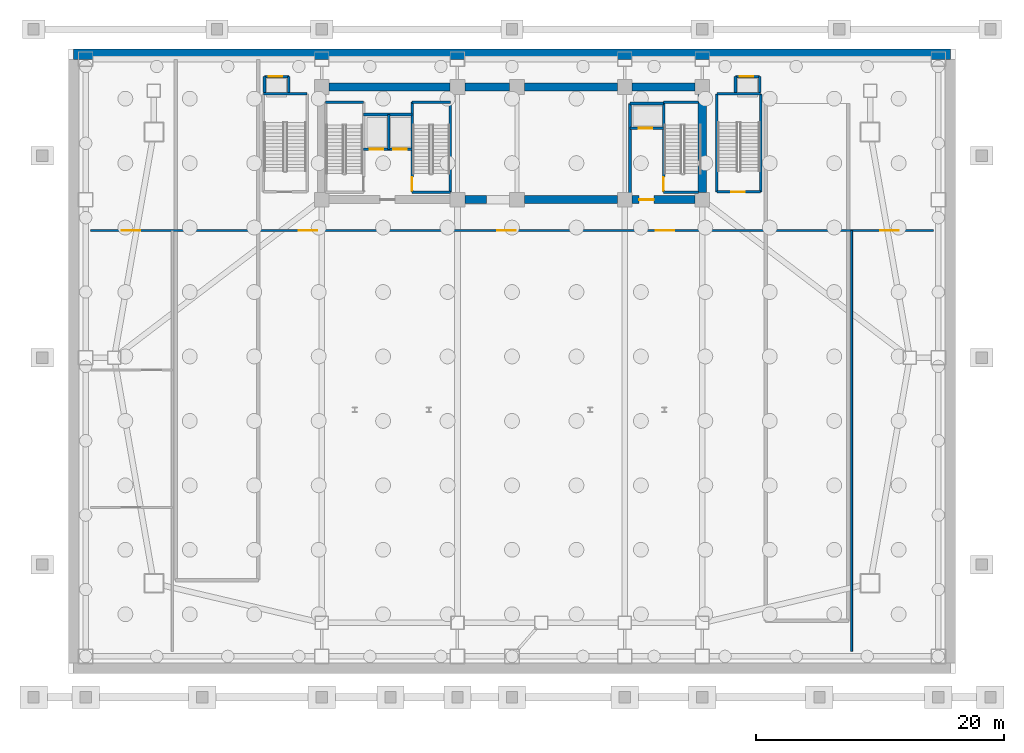
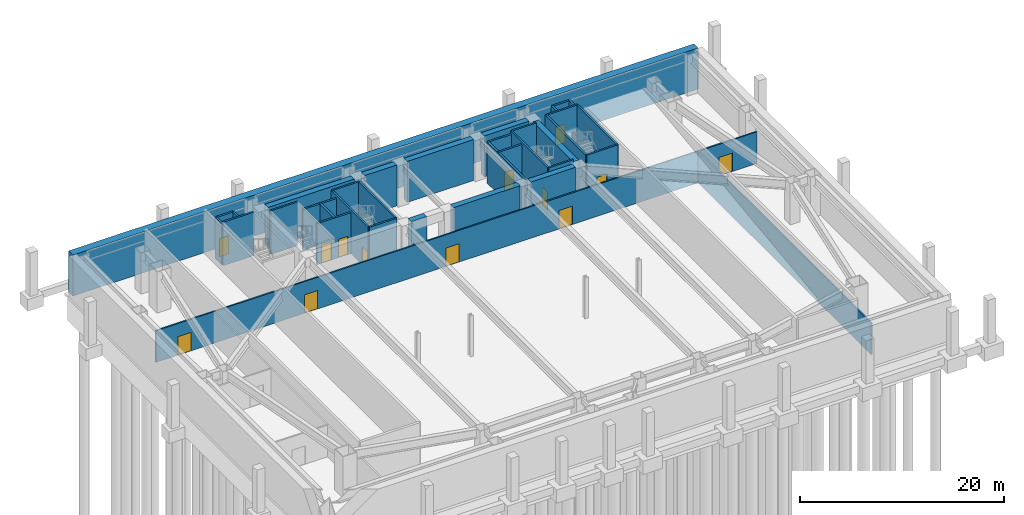
# One storey, part 6 of 10: 36 walls, 14 doors, 14 openings.
"""IFC4 building model written with IfcOpenShell, lengths in metres."""

from ifc_helpers import new_model, si_unit, direction, frame, frame_2d, origin, place, context, subcontext, project, spatial, rectangle, extrude, source, transform, mapped, material, layer, layer_set, type_object, element, fill, save


model = new_model("IFC4")

# Units and contexts
model_context = context("Model", 3, precision=1e-05, world=origin(), true_north=direction((0.0, 1.0)))
body_context = subcontext(model_context, "Body", "Model", "MODEL_VIEW")
ifc_project = project(units=[si_unit("LENGTHUNIT", "METRE"), si_unit("AREAUNIT", "SQUARE_METRE"), si_unit("VOLUMEUNIT", "CUBIC_METRE"), si_unit("PLANEANGLEUNIT", "RADIAN"), si_unit("MASSUNIT", "GRAM", prefix="KILO")], contexts=[model_context])

# Site, building, storey
site_placement = place(None, origin())
site = spatial("IfcSite", under=ifc_project, at=site_placement, CompositionType="ELEMENT")
building_placement = place(site_placement, origin())
building = spatial("IfcBuilding", under=site, at=building_placement, Name="Giltprow Tower", CompositionType="ELEMENT")
storey_placement = place(building_placement, frame((0.0, 0.0, -10.39990234375)))
storey = spatial("IfcBuildingStorey", under=building, at=storey_placement, Name="B02", CompositionType="ELEMENT", Elevation=-10.39990234375)

# Wall, openings, doors
ifc_material_1 = material(Name="Gypsum stud partition", Category="gypsum")
ifc_layer_1 = layer(ifc_material_1, 0.159912109375, Name="Gypsum stud partition")
ifc_layer_set_1 = layer_set([ifc_layer_1], Name="Gypsum stud partition")
wall_type_1 = type_object("IfcWallType", Name="IW-DEMISE-160", PredefinedType="PARTITIONING", material=ifc_layer_set_1)
wall_1_placement = place(storey_placement, frame((1.199951171875, 34.949951171875, 0.0), z_axis=(0.0, 0.0, 1.0), x_axis=(1.0, 0.0, 0.0)))
wall_1 = element("IfcWall", 1, at=wall_1_placement, inside=storey, type_object=wall_type_1, Name="B02 Car Park and Plant North Fire Wall", PredefinedType="PARTITIONING", context=body_context, shape_type="SweptSolid", body=[
    extrude(rectangle(XDim=68.0, YDim=0.159912109375, at=frame_2d((34.0, 0.0))), origin(), (0.0, 0.0, 1.0), 3.784912109375),
])
opening_1_placement = place(wall_1_placement, frame((16.800048828125, 0.0, 0.0)))
opening_1 = element("IfcOpeningElement", 2, at=opening_1_placement, cuts=wall_1, Name="Opening ID25", PredefinedType="OPENING", context=body_context, shape_type="SweptSolid", body=[
    extrude(rectangle(XDim=1.5, YDim=2.199951171875, at=frame_2d((0.75, 1.10009765625))), frame((0.0, 0.08984375, 0.0), z_axis=(0.0, -1.0, 0.0), x_axis=(1.0, 0.0, 0.0)), (0.0, 0.0, 1.0), 0.179931640625),
])
opening_2_placement = place(wall_1_placement, frame((32.800048828125, 0.0, 0.0)))
opening_2 = element("IfcOpeningElement", 3, at=opening_2_placement, cuts=wall_1, Name="Opening ID25", PredefinedType="OPENING", context=body_context, shape_type="SweptSolid", body=[
    extrude(rectangle(XDim=1.5, YDim=2.199951171875, at=frame_2d((0.75, 1.10009765625))), frame((0.0, 0.08984375, 0.0), z_axis=(0.0, -1.0, 0.0), x_axis=(1.0, 0.0, 0.0)), (0.0, 0.0, 1.0), 0.179931640625),
])
opening_3_placement = place(wall_1_placement, frame((45.60009765625, 0.0, 0.0)))
opening_3 = element("IfcOpeningElement", 4, at=opening_3_placement, cuts=wall_1, Name="Opening ID25", PredefinedType="OPENING", context=body_context, shape_type="SweptSolid", body=[
    extrude(rectangle(XDim=1.5, YDim=2.199951171875, at=frame_2d((0.75, 1.10009765625))), frame((0.0, 0.08984375, 0.0), z_axis=(0.0, -1.0, 0.0), x_axis=(1.0, 0.0, 0.0)), (0.0, 0.0, 1.0), 0.179931640625),
])
opening_4_placement = place(wall_1_placement, frame((2.5, 0.0, 0.0)))
opening_4 = element("IfcOpeningElement", 5, at=opening_4_placement, cuts=wall_1, Name="Opening ID25", PredefinedType="OPENING", context=body_context, shape_type="SweptSolid", body=[
    extrude(rectangle(XDim=1.5, YDim=2.199951171875, at=frame_2d((0.75, 1.10009765625))), frame((0.0, 0.08984375, 0.0), z_axis=(0.0, -1.0, 0.0), x_axis=(1.0, 0.0, 0.0)), (0.0, 0.0, 1.0), 0.179931640625),
])
opening_5_placement = place(wall_1_placement, frame((63.699951171875, 0.0, 0.0)))
opening_5 = element("IfcOpeningElement", 6, at=opening_5_placement, cuts=wall_1, Name="Opening ID25", PredefinedType="OPENING", context=body_context, shape_type="SweptSolid", body=[
    extrude(rectangle(XDim=1.5, YDim=2.199951171875, at=frame_2d((0.75, 1.10009765625))), frame((0.0, 0.08984375, 0.0), z_axis=(0.0, -1.0, 0.0), x_axis=(1.0, 0.0, 0.0)), (0.0, 0.0, 1.0), 0.179931640625),
])
ifc_material_2 = material(Name="Steel fire leaf", Category="steel")
door_type_1 = type_object("IfcDoorType", Name="DR-PLANT-1500", OperationType="DOUBLE_SWING_LEFT", PredefinedType="DOOR", material=ifc_material_2)
shared_shape_1 = source(origin(), body_context, "Body", "SweptSolid", [
    extrude(rectangle(XDim=1.5, YDim=2.199951171875, at=frame_2d((0.75, 1.10009765625))), frame((0.0, 0.02490234375, 0.0), z_axis=(0.0, -1.0, 0.0), x_axis=(1.0, 0.0, 0.0)), (0.0, 0.0, 1.0), 0.050048828125),
])
door_1_placement = place(opening_1_placement, origin())
door_1 = element("IfcDoor", 7, at=door_1_placement, inside=storey, type_object=door_type_1, Name="B02 Car Park West Lobby Door", OperationType="DOUBLE_SWING_LEFT", OverallHeight=2.199951171875, OverallWidth=1.5, PredefinedType="DOOR", context=body_context, shape_type="MappedRepresentation", body=[
    mapped(shared_shape_1, transform((0.0, 0.0, 0.0), x_axis=(1.0, 0.0, 0.0), y_axis=(0.0, 1.0, 0.0), z_axis=(0.0, 0.0, 1.0), scale=1.0)),
])
fill(opening_1, door_1)
door_2_placement = place(opening_2_placement, origin())
door_2 = element("IfcDoor", 8, at=door_2_placement, inside=storey, type_object=door_type_1, Name="B02 Car Park Central Lobby Door", OperationType="DOUBLE_SWING_LEFT", OverallHeight=2.199951171875, OverallWidth=1.5, PredefinedType="DOOR", context=body_context, shape_type="MappedRepresentation", body=[
    mapped(shared_shape_1, transform((0.0, 0.0, 0.0), x_axis=(1.0, 0.0, 0.0), y_axis=(0.0, 1.0, 0.0), z_axis=(0.0, 0.0, 1.0), scale=1.0)),
])
fill(opening_2, door_2)
door_3_placement = place(opening_3_placement, origin())
door_3 = element("IfcDoor", 9, at=door_3_placement, inside=storey, type_object=door_type_1, Name="B02 Car Park East Lobby Door", OperationType="DOUBLE_SWING_LEFT", OverallHeight=2.199951171875, OverallWidth=1.5, PredefinedType="DOOR", context=body_context, shape_type="MappedRepresentation", body=[
    mapped(shared_shape_1, transform((0.0, 0.0, 0.0), x_axis=(1.0, 0.0, 0.0), y_axis=(0.0, 1.0, 0.0), z_axis=(0.0, 0.0, 1.0), scale=1.0)),
])
fill(opening_3, door_3)
door_4_placement = place(opening_4_placement, origin())
door_4 = element("IfcDoor", 10, at=door_4_placement, inside=storey, type_object=door_type_1, Name="B02 Domestic and Fire Water Pump Room Corridor Door", OperationType="DOUBLE_SWING_LEFT", OverallHeight=2.199951171875, OverallWidth=1.5, PredefinedType="DOOR", context=body_context, shape_type="MappedRepresentation", body=[
    mapped(shared_shape_1, transform((0.0, 0.0, 0.0), x_axis=(1.0, 0.0, 0.0), y_axis=(0.0, 1.0, 0.0), z_axis=(0.0, 0.0, 1.0), scale=1.0)),
])
fill(opening_4, door_4)
door_5_placement = place(opening_5_placement, origin())
door_5 = element("IfcDoor", 11, at=door_5_placement, inside=storey, type_object=door_type_1, Name="B02 Fan and Smoke Extract Plant Door", OperationType="DOUBLE_SWING_LEFT", OverallHeight=2.199951171875, OverallWidth=1.5, PredefinedType="DOOR", context=body_context, shape_type="MappedRepresentation", body=[
    mapped(shared_shape_1, transform((0.0, 0.0, 0.0), x_axis=(1.0, 0.0, 0.0), y_axis=(0.0, 1.0, 0.0), z_axis=(0.0, 0.0, 1.0), scale=1.0)),
])
fill(opening_5, door_5)

# Wall
wall_2_placement = place(storey_placement, frame((62.60009765625, 1.0, 0.0), z_axis=(0.0, 0.0, 1.0), x_axis=(0.0, 1.0, 0.0)))
element("IfcWall", 12, at=wall_2_placement, inside=storey, type_object=wall_type_1, Name="B02 East Service Plant Wall", PredefinedType="PARTITIONING", context=body_context, shape_type="SweptSolid", body=[
    extrude(rectangle(XDim=33.949951171875, YDim=0.159912109375, at=frame_2d((16.97509765625, 0.0))), origin(), (0.0, 0.0, 1.0), 3.784912109375),
])

# Wall, openings, doors
ifc_material_3 = material(Name="Concrete C40", Category="concrete")
ifc_layer_2 = layer(ifc_material_3, 0.219970703125, Name="Concrete C40")
ifc_layer_set_2 = layer_set([ifc_layer_2], Name="Concrete C40")
wall_type_2 = type_object("IfcWallType", Name="IW-SHAFT-220", PredefinedType="SOLIDWALL", material=ifc_layer_set_2)
wall_3_placement = place(storey_placement, frame((23.219970703125, 41.52001953125, 0.0), z_axis=(0.0, 0.0, 1.0), x_axis=(1.0, 0.0, 0.0)))
wall_3 = element("IfcWall", 13, at=wall_3_placement, inside=storey, type_object=wall_type_2, Name="B02 FFL1 and Service Lift Front Wall", PredefinedType="SOLIDWALL", context=body_context, shape_type="SweptSolid", body=[
    extrude(rectangle(XDim=3.919921875, YDim=0.219970703125, at=frame_2d((1.9599609375, 0.0))), origin(), (0.0, 0.0, 1.0), 4.89990234375),
])
opening_6_placement = place(wall_3_placement, frame((0.5, 0.0, 0.0)))
opening_6 = element("IfcOpeningElement", 14, at=opening_6_placement, cuts=wall_3, Name="Opening LD-11", PredefinedType="OPENING", context=body_context, shape_type="SweptSolid", body=[
    extrude(rectangle(XDim=1.10009765625, YDim=2.199951171875, at=frame_2d((0.550048828125, 1.10009765625))), frame((0.0, 0.119873046875, 0.0), z_axis=(0.0, -1.0, 0.0), x_axis=(1.0, 0.0, 0.0)), (0.0, 0.0, 1.0), 0.239990234375),
])
opening_7_placement = place(wall_3_placement, frame((2.39990234375, 0.0, 0.0)))
opening_7 = element("IfcOpeningElement", 15, at=opening_7_placement, cuts=wall_3, Name="Opening LD-11", PredefinedType="OPENING", context=body_context, shape_type="SweptSolid", body=[
    extrude(rectangle(XDim=1.10009765625, YDim=2.199951171875, at=frame_2d((0.550048828125, 1.10009765625))), frame((0.0, 0.119873046875, 0.0), z_axis=(0.0, -1.0, 0.0), x_axis=(1.0, 0.0, 0.0)), (0.0, 0.0, 1.0), 0.239990234375),
])
ifc_material_4 = material(Name="Stainless steel", Category="steel")
door_type_2 = type_object("IfcDoorType", Name="DR-LIFT-LD1100", OperationType="SLIDING_TO_LEFT", PredefinedType="DOOR", material=ifc_material_4)
shared_shape_2 = source(origin(), body_context, "Body", "SweptSolid", [
    extrude(rectangle(XDim=1.10009765625, YDim=2.199951171875, at=frame_2d((0.550048828125, 1.10009765625))), frame((0.0, 0.02490234375, 0.0), z_axis=(0.0, -1.0, 0.0), x_axis=(1.0, 0.0, 0.0)), (0.0, 0.0, 1.0), 0.050048828125),
])
door_6_placement = place(opening_6_placement, origin())
door_6 = element("IfcDoor", 16, at=door_6_placement, inside=storey, type_object=door_type_2, Name="B02 FFL1 Landing Door", OperationType="SLIDING_TO_LEFT", OverallHeight=2.199951171875, OverallWidth=1.10009765625, PredefinedType="DOOR", context=body_context, shape_type="MappedRepresentation", body=[
    mapped(shared_shape_2, transform((0.0, 0.0, 0.0), x_axis=(1.0, 0.0, 0.0), y_axis=(0.0, 1.0, 0.0), z_axis=(0.0, 0.0, 1.0), scale=1.0)),
])
fill(opening_6, door_6)
door_7_placement = place(opening_7_placement, origin())
door_7 = element("IfcDoor", 17, at=door_7_placement, inside=storey, type_object=door_type_2, Name="B02 SVL1 Landing Door", OperationType="SLIDING_TO_LEFT", OverallHeight=2.199951171875, OverallWidth=1.10009765625, PredefinedType="DOOR", context=body_context, shape_type="MappedRepresentation", body=[
    mapped(shared_shape_2, transform((0.0, 0.0, 0.0), x_axis=(1.0, 0.0, 0.0), y_axis=(0.0, 1.0, 0.0), z_axis=(0.0, 0.0, 1.0), scale=1.0)),
])
fill(opening_7, door_7)

# Walls
wall_4_placement = place(storey_placement, frame((25.260009765625, 41.52001953125, 0.0), z_axis=(0.0, 0.0, 1.0), x_axis=(0.0, 1.0, 0.0)))
element("IfcWall", 18, at=wall_4_placement, inside=storey, type_object=wall_type_2, Name="B02 FFL1-SVL1 Shaft Divider", PredefinedType="SOLIDWALL", context=body_context, shape_type="SweptSolid", body=[
    extrude(rectangle(XDim=2.800048828125, YDim=0.219970703125, at=frame_2d((1.39990234375, 0.0))), origin(), (0.0, 0.0, 1.0), 4.89990234375),
])
wall_5_placement = place(storey_placement, frame((23.219970703125, 44.320068359375, 0.0), z_axis=(0.0, 0.0, 1.0), x_axis=(1.0, 0.0, 0.0)))
element("IfcWall", 19, at=wall_5_placement, inside=storey, type_object=wall_type_2, Name="B02 FFL1-SVL1 Back Shaft Wall", PredefinedType="SOLIDWALL", context=body_context, shape_type="SweptSolid", body=[
    extrude(rectangle(XDim=3.919921875, YDim=0.219970703125, at=frame_2d((1.9599609375, 0.0))), origin(), (0.0, 0.0, 1.0), 4.89990234375),
])

# Wall, opening, door
wall_6_placement = place(storey_placement, frame((44.719970703125, 43.219970703125, 0.0), z_axis=(0.0, 0.0, 1.0), x_axis=(1.0, 0.0, 0.0)))
wall_6 = element("IfcWall", 20, at=wall_6_placement, inside=storey, type_object=wall_type_2, Name="B02 FFL2 Front Shaft Wall", PredefinedType="SOLIDWALL", context=body_context, shape_type="SweptSolid", body=[
    extrude(rectangle(XDim=2.719970703125, YDim=0.219970703125, at=frame_2d((1.35986328125, 0.0))), origin(), (0.0, 0.0, 1.0), 4.89990234375),
])
opening_8_placement = place(wall_6_placement, frame((0.699951171875, 0.0, 0.0)))
opening_8 = element("IfcOpeningElement", 21, at=opening_8_placement, cuts=wall_6, Name="Opening LD-11", PredefinedType="OPENING", context=body_context, shape_type="SweptSolid", body=[
    extrude(rectangle(XDim=1.10009765625, YDim=2.199951171875, at=frame_2d((0.550048828125, 1.10009765625))), frame((0.0, 0.119873046875, 0.0), z_axis=(0.0, -1.0, 0.0), x_axis=(1.0, 0.0, 0.0)), (0.0, 0.0, 1.0), 0.239990234375),
])
door_8_placement = place(opening_8_placement, origin())
door_8 = element("IfcDoor", 22, at=door_8_placement, inside=storey, type_object=door_type_2, Name="B02 FFL2 Landing Door", OperationType="SLIDING_TO_LEFT", OverallHeight=2.199951171875, OverallWidth=1.10009765625, PredefinedType="DOOR", context=body_context, shape_type="MappedRepresentation", body=[
    mapped(shared_shape_2, transform((0.0, 0.0, 0.0), x_axis=(1.0, 0.0, 0.0), y_axis=(0.0, 1.0, 0.0), z_axis=(0.0, 0.0, 1.0), scale=1.0)),
])
fill(opening_8, door_8)

# Walls
wall_7_placement = place(storey_placement, frame((44.719970703125, 45.219970703125, 0.0), z_axis=(0.0, 0.0, 1.0), x_axis=(1.0, 0.0, 0.0)))
element("IfcWall", 23, at=wall_7_placement, inside=storey, type_object=wall_type_2, Name="B02 FFL2 Back Shaft Wall", PredefinedType="SOLIDWALL", context=body_context, shape_type="SweptSolid", body=[
    extrude(rectangle(XDim=2.719970703125, YDim=0.219970703125, at=frame_2d((1.35986328125, 0.0))), origin(), (0.0, 0.0, 1.0), 4.89990234375),
])
wall_8_placement = place(storey_placement, frame((44.719970703125, 37.7548828125, 0.0), z_axis=(0.0, 0.0, 1.0), x_axis=(0.0, 1.0, 0.0)))
element("IfcWall", 24, at=wall_8_placement, inside=storey, type_object=wall_type_2, Name="B02 East Firefighting Lobby West Wall", PredefinedType="SOLIDWALL", context=body_context, shape_type="SweptSolid", body=[
    extrude(rectangle(XDim=7.465087890625, YDim=0.219970703125, at=frame_2d((3.732421875, 0.0))), origin(), (0.0, 0.0, 1.0), 4.89990234375),
])

# Wall, opening, door
wall_9_placement = place(storey_placement, frame((15.22998046875, 47.3798828125, 0.0), z_axis=(0.0, 0.0, 1.0), x_axis=(1.0, 0.0, 0.0)))
wall_9 = element("IfcWall", 25, at=wall_9_placement, inside=storey, type_object=wall_type_2, Name="B02 PL-P1 Front Wall", PredefinedType="SOLIDWALL", context=body_context, shape_type="SweptSolid", body=[
    extrude(rectangle(XDim=1.9599609375, YDim=0.219970703125, at=frame_2d((0.97998046875, 0.0))), origin(), (0.0, 0.0, 1.0), 4.89990234375),
])
opening_9_placement = place(wall_9_placement, frame((0.35009765625, 0.0, 0.0)))
opening_9 = element("IfcOpeningElement", 26, at=opening_9_placement, cuts=wall_9, Name="Opening LD-11", PredefinedType="OPENING", context=body_context, shape_type="SweptSolid", body=[
    extrude(rectangle(XDim=1.10009765625, YDim=2.199951171875, at=frame_2d((0.550048828125, 1.10009765625))), frame((0.0, 0.119873046875, 0.0), z_axis=(0.0, -1.0, 0.0), x_axis=(1.0, 0.0, 0.0)), (0.0, 0.0, 1.0), 0.239990234375),
])
door_9_placement = place(opening_9_placement, origin())
door_9 = element("IfcDoor", 27, at=door_9_placement, inside=storey, type_object=door_type_2, Name="B02 PL-P1 Landing Door", OperationType="SLIDING_TO_LEFT", OverallHeight=2.199951171875, OverallWidth=1.10009765625, PredefinedType="DOOR", context=body_context, shape_type="MappedRepresentation", body=[
    mapped(shared_shape_2, transform((0.0, 0.0, 0.0), x_axis=(1.0, 0.0, 0.0), y_axis=(0.0, 1.0, 0.0), z_axis=(0.0, 0.0, 1.0), scale=1.0)),
])
fill(opening_9, door_9)

# Walls
for number, where, z_axis, x_axis, name in (
    (28, (15.22998046875, 46.090087890625, 0.0), (0.0, 0.0, 1.0), (0.0, 1.0, 0.0), "B02 PL-P1 West Shaft Wall"),
    (29, (17.18994140625, 46.090087890625, 0.0), (0.0, 0.0, 1.0), (0.0, 1.0, 0.0), "B02 PL-P1 East Shaft Wall"),
):
    element("IfcWall", number, at=place(storey_placement, frame(where, z_axis=z_axis, x_axis=x_axis)), inside=storey, type_object=wall_type_2, Name=name, PredefinedType="SOLIDWALL", context=body_context, shape_type="SweptSolid", body=[
        extrude(rectangle(XDim=1.289794921875, YDim=0.219970703125, at=frame_2d((0.64501953125, 0.0))), origin(), (0.0, 0.0, 1.0), 4.89990234375),
    ])

# Wall, opening, door
wall_10_placement = place(storey_placement, frame((53.22998046875, 47.3798828125, 0.0), z_axis=(0.0, 0.0, 1.0), x_axis=(1.0, 0.0, 0.0)))
wall_10 = element("IfcWall", 30, at=wall_10_placement, inside=storey, type_object=wall_type_2, Name="B02 PL-P2 Front Wall", PredefinedType="SOLIDWALL", context=body_context, shape_type="SweptSolid", body=[
    extrude(rectangle(XDim=1.9599609375, YDim=0.219970703125, at=frame_2d((0.97998046875, 0.0))), origin(), (0.0, 0.0, 1.0), 4.89990234375),
])
opening_10_placement = place(wall_10_placement, frame((0.35009765625, 0.0, 0.0)))
opening_10 = element("IfcOpeningElement", 31, at=opening_10_placement, cuts=wall_10, Name="Opening LD-11", PredefinedType="OPENING", context=body_context, shape_type="SweptSolid", body=[
    extrude(rectangle(XDim=1.10009765625, YDim=2.199951171875, at=frame_2d((0.550048828125, 1.10009765625))), frame((0.0, 0.119873046875, 0.0), z_axis=(0.0, -1.0, 0.0), x_axis=(1.0, 0.0, 0.0)), (0.0, 0.0, 1.0), 0.239990234375),
])
door_10_placement = place(opening_10_placement, origin())
door_10 = element("IfcDoor", 32, at=door_10_placement, inside=storey, type_object=door_type_2, Name="B02 PL-P2 Landing Door", OperationType="SLIDING_TO_LEFT", OverallHeight=2.199951171875, OverallWidth=1.10009765625, PredefinedType="DOOR", context=body_context, shape_type="MappedRepresentation", body=[
    mapped(shared_shape_2, transform((0.0, 0.0, 0.0), x_axis=(1.0, 0.0, 0.0), y_axis=(0.0, 1.0, 0.0), z_axis=(0.0, 0.0, 1.0), scale=1.0)),
])
fill(opening_10, door_10)

# Walls
for number, where, z_axis, x_axis, name in (
    (33, (53.22998046875, 46.090087890625, 0.0), (0.0, 0.0, 1.0), (0.0, 1.0, 0.0), "B02 PL-P2 West Shaft Wall"),
    (34, (55.18994140625, 46.090087890625, 0.0), (0.0, 0.0, 1.0), (0.0, 1.0, 0.0), "B02 PL-P2 East Shaft Wall"),
):
    element("IfcWall", number, at=place(storey_placement, frame(where, z_axis=z_axis, x_axis=x_axis)), inside=storey, type_object=wall_type_2, Name=name, PredefinedType="SOLIDWALL", context=body_context, shape_type="SweptSolid", body=[
        extrude(rectangle(XDim=1.289794921875, YDim=0.219970703125, at=frame_2d((0.64501953125, 0.0))), origin(), (0.0, 0.0, 1.0), 4.89990234375),
    ])
ifc_layer_3 = layer(ifc_material_3, 0.199951171875, Name="Concrete C40")
ifc_layer_set_3 = layer_set([ifc_layer_3], Name="Concrete C40")
wall_type_3 = type_object("IfcWallType", Name="IW-STAIR-200", PredefinedType="SOLIDWALL", material=ifc_layer_set_3)
wall_11_placement = place(storey_placement, frame((20.169921875, 45.320068359375, 0.0), z_axis=(0.0, 0.0, 1.0), x_axis=(1.0, 0.0, 0.0)))
element("IfcWall", 35, at=wall_11_placement, inside=storey, type_object=wall_type_3, Name="B02 Stair ST-1 North Bearing Wall", PredefinedType="SOLIDWALL", context=body_context, shape_type="SweptSolid", body=[
    extrude(rectangle(XDim=3.050048828125, YDim=0.199951171875, at=frame_2d((1.52490234375, 0.0))), origin(), (0.0, 0.0, 1.0), 5.199951171875),
])

# Wall, opening, door
wall_12_placement = place(storey_placement, frame((27.139892578125, 38.070068359375, 0.0), z_axis=(0.0, 0.0, 1.0), x_axis=(0.0, 1.0, 0.0)))
wall_12 = element("IfcWall", 36, at=wall_12_placement, inside=storey, type_object=wall_type_3, Name="B02 Stair ST-2 West Bearing Wall", PredefinedType="SOLIDWALL", context=body_context, shape_type="SweptSolid", body=[
    extrude(rectangle(XDim=7.25, YDim=0.199951171875, at=frame_2d((3.625, 0.0))), origin(), (0.0, 0.0, 1.0), 5.199951171875),
])
opening_11_placement = place(wall_12_placement, frame((0.110107421875, 0.0, 0.0)))
opening_11 = element("IfcOpeningElement", 37, at=opening_11_placement, cuts=wall_12, Name="Opening ID33", PredefinedType="OPENING", context=body_context, shape_type="SweptSolid", body=[
    extrude(rectangle(XDim=1.10009765625, YDim=2.14990234375, at=frame_2d((0.550048828125, 1.074951171875))), frame((0.0, 0.10986328125, 0.0), z_axis=(0.0, -1.0, 0.0), x_axis=(1.0, 0.0, 0.0)), (0.0, 0.0, 1.0), 0.219970703125),
])
door_type_3 = type_object("IfcDoorType", Name="DR-STAIR-1100", OperationType="SINGLE_SWING_LEFT", PredefinedType="DOOR", material=ifc_material_2)
shared_shape_3 = source(origin(), body_context, "Body", "SweptSolid", [
    extrude(rectangle(XDim=1.10009765625, YDim=2.14990234375, at=frame_2d((0.550048828125, 1.074951171875))), frame((0.0, 0.02490234375, 0.0), z_axis=(0.0, -1.0, 0.0), x_axis=(1.0, 0.0, 0.0)), (0.0, 0.0, 1.0), 0.050048828125),
])
door_11_placement = place(opening_11_placement, origin())
door_11 = element("IfcDoor", 38, at=door_11_placement, inside=storey, type_object=door_type_3, Name="B02 Stair ST-2 Fire Door", OperationType="SINGLE_SWING_RIGHT", OverallHeight=2.14990234375, OverallWidth=1.10009765625, PredefinedType="DOOR", context=body_context, shape_type="MappedRepresentation", body=[
    mapped(shared_shape_3, transform((0.0, 0.0, 0.0), x_axis=(1.0, 0.0, 0.0), y_axis=(0.0, 1.0, 0.0), z_axis=(0.0, 0.0, 1.0), scale=1.0)),
])
fill(opening_11, door_11)

# Walls
wall_13_placement = place(storey_placement, frame((30.219970703125, 38.070068359375, 0.0), z_axis=(0.0, 0.0, 1.0), x_axis=(0.0, 1.0, 0.0)))
element("IfcWall", 39, at=wall_13_placement, inside=storey, type_object=wall_type_3, Name="B02 Stair ST-2 East Bearing Wall", PredefinedType="SOLIDWALL", context=body_context, shape_type="SweptSolid", body=[
    extrude(rectangle(XDim=7.25, YDim=0.199951171875, at=frame_2d((3.625, 0.0))), origin(), (0.0, 0.0, 1.0), 5.199951171875),
])
for number, where, z_axis, x_axis, name in (
    (40, (27.139892578125, 45.320068359375, 0.0), (0.0, 0.0, 1.0), (1.0, 0.0, 0.0), "B02 Stair ST-2 North Bearing Wall"),
    (41, (27.139892578125, 38.070068359375, 0.0), (0.0, 0.0, 1.0), (1.0, 0.0, 0.0), "B02 Stair ST-2 South Bearing Wall"),
):
    element("IfcWall", number, at=place(storey_placement, frame(where, z_axis=z_axis, x_axis=x_axis)), inside=storey, type_object=wall_type_3, Name=name, PredefinedType="SOLIDWALL", context=body_context, shape_type="SweptSolid", body=[
        extrude(rectangle(XDim=3.080078125, YDim=0.199951171875, at=frame_2d((1.5400390625, 0.0))), origin(), (0.0, 0.0, 1.0), 5.199951171875),
    ])

# Wall, opening, door
wall_14_placement = place(storey_placement, frame((47.43994140625, 38.070068359375, 0.0), z_axis=(0.0, 0.0, 1.0), x_axis=(0.0, 1.0, 0.0)))
wall_14 = element("IfcWall", 42, at=wall_14_placement, inside=storey, type_object=wall_type_3, Name="B02 Stair ST-3 West Bearing Wall", PredefinedType="SOLIDWALL", context=body_context, shape_type="SweptSolid", body=[
    extrude(rectangle(XDim=7.25, YDim=0.199951171875, at=frame_2d((3.625, 0.0))), origin(), (0.0, 0.0, 1.0), 5.199951171875),
])
opening_12_placement = place(wall_14_placement, frame((0.110107421875, 0.0, 0.0)))
opening_12 = element("IfcOpeningElement", 43, at=opening_12_placement, cuts=wall_14, Name="Opening ID33", PredefinedType="OPENING", context=body_context, shape_type="SweptSolid", body=[
    extrude(rectangle(XDim=1.10009765625, YDim=2.14990234375, at=frame_2d((0.550048828125, 1.074951171875))), frame((0.0, 0.10986328125, 0.0), z_axis=(0.0, -1.0, 0.0), x_axis=(1.0, 0.0, 0.0)), (0.0, 0.0, 1.0), 0.219970703125),
])
door_12_placement = place(opening_12_placement, origin())
door_12 = element("IfcDoor", 44, at=door_12_placement, inside=storey, type_object=door_type_3, Name="B02 Stair ST-3 Fire Door", OperationType="SINGLE_SWING_LEFT", OverallHeight=2.14990234375, OverallWidth=1.10009765625, PredefinedType="DOOR", context=body_context, shape_type="MappedRepresentation", body=[
    mapped(shared_shape_3, transform((0.0, 0.0, 0.0), x_axis=(1.0, 0.0, 0.0), y_axis=(0.0, 1.0, 0.0), z_axis=(0.0, 0.0, 1.0), scale=1.0)),
])
fill(opening_12, door_12)

# Walls
for number, where, z_axis, x_axis, name in (
    (45, (47.43994140625, 45.320068359375, 0.0), (0.0, 0.0, 1.0), (1.0, 0.0, 0.0), "B02 Stair ST-3 North Bearing Wall"),
    (46, (47.43994140625, 38.070068359375, 0.0), (0.0, 0.0, 1.0), (1.0, 0.0, 0.0), "B02 Stair ST-3 South Bearing Wall"),
):
    element("IfcWall", number, at=place(storey_placement, frame(where, z_axis=z_axis, x_axis=x_axis)), inside=storey, type_object=wall_type_3, Name=name, PredefinedType="SOLIDWALL", context=body_context, shape_type="SweptSolid", body=[
        extrude(rectangle(XDim=2.80517578125, YDim=0.199951171875, at=frame_2d((1.402587890625, 0.0))), origin(), (0.0, 0.0, 1.0), 5.199951171875),
    ])
wall_15_placement = place(storey_placement, frame((15.139892578125, 45.97998046875, 0.0), z_axis=(0.0, 0.0, 1.0), x_axis=(1.0, 0.0, 0.0)))
element("IfcWall", 47, at=wall_15_placement, inside=storey, type_object=wall_type_3, Name="B02 Podium Stair ST-P1 North Bearing Wall", PredefinedType="SOLIDWALL", context=body_context, shape_type="SweptSolid", body=[
    extrude(rectangle(XDim=3.52001953125, YDim=0.199951171875, at=frame_2d((1.760009765625, 0.0))), origin(), (0.0, 0.0, 1.0), 5.199951171875),
])
for number, where, z_axis, x_axis, name in (
    (48, (51.739990234375, 38.080078125, 0.0), (0.0, 0.0, 1.0), (0.0, 1.0, 0.0), "B02 Podium Stair ST-P2 West Bearing Wall"),
    (49, (55.260009765625, 38.080078125, 0.0), (0.0, 0.0, 1.0), (0.0, 1.0, 0.0), "B02 Podium Stair ST-P2 East Bearing Wall"),
):
    element("IfcWall", number, at=place(storey_placement, frame(where, z_axis=z_axis, x_axis=x_axis)), inside=storey, type_object=wall_type_3, Name=name, PredefinedType="SOLIDWALL", context=body_context, shape_type="SweptSolid", body=[
        extrude(rectangle(XDim=7.89990234375, YDim=0.199951171875, at=frame_2d((3.949951171875, 0.0))), origin(), (0.0, 0.0, 1.0), 5.199951171875),
    ])
wall_16_placement = place(storey_placement, frame((51.739990234375, 45.97998046875, 0.0), z_axis=(0.0, 0.0, 1.0), x_axis=(1.0, 0.0, 0.0)))
element("IfcWall", 50, at=wall_16_placement, inside=storey, type_object=wall_type_3, Name="B02 Podium Stair ST-P2 North Bearing Wall", PredefinedType="SOLIDWALL", context=body_context, shape_type="SweptSolid", body=[
    extrude(rectangle(XDim=3.52001953125, YDim=0.199951171875, at=frame_2d((1.760009765625, 0.0))), origin(), (0.0, 0.0, 1.0), 5.199951171875),
])

# Wall, opening, door
wall_17_placement = place(storey_placement, frame((51.739990234375, 38.080078125, 0.0), z_axis=(0.0, 0.0, 1.0), x_axis=(1.0, 0.0, 0.0)))
wall_17 = element("IfcWall", 51, at=wall_17_placement, inside=storey, type_object=wall_type_3, Name="B02 Podium Stair ST-P2 South Bearing Wall", PredefinedType="SOLIDWALL", context=body_context, shape_type="SweptSolid", body=[
    extrude(rectangle(XDim=3.52001953125, YDim=0.199951171875, at=frame_2d((1.760009765625, 0.0))), origin(), (0.0, 0.0, 1.0), 5.199951171875),
])
opening_13_placement = place(wall_17_placement, frame((1.14990234375, 0.0, 0.0)))
opening_13 = element("IfcOpeningElement", 52, at=opening_13_placement, cuts=wall_17, Name="Opening ID33", PredefinedType="OPENING", context=body_context, shape_type="SweptSolid", body=[
    extrude(rectangle(XDim=1.10009765625, YDim=2.14990234375, at=frame_2d((0.550048828125, 1.074951171875))), frame((0.0, 0.10986328125, 0.0), z_axis=(0.0, -1.0, 0.0), x_axis=(1.0, 0.0, 0.0)), (0.0, 0.0, 1.0), 0.219970703125),
])
door_13_placement = place(opening_13_placement, origin())
door_13 = element("IfcDoor", 53, at=door_13_placement, inside=storey, type_object=door_type_3, Name="B02 Podium Stair ST-P2 Door", OperationType="SINGLE_SWING_LEFT", OverallHeight=2.14990234375, OverallWidth=1.10009765625, PredefinedType="DOOR", context=body_context, shape_type="MappedRepresentation", body=[
    mapped(shared_shape_3, transform((0.0, 0.0, 0.0), x_axis=(1.0, 0.0, 0.0), y_axis=(0.0, 1.0, 0.0), z_axis=(0.0, 0.0, 1.0), scale=1.0)),
])
fill(opening_13, door_13)

# Walls
ifc_material_5 = material(Name="Concrete C45", Category="concrete")
ifc_layer_4 = layer(ifc_material_5, 0.85009765625, Name="Concrete C45")
ifc_layer_set_4 = layer_set([ifc_layer_4], Name="Concrete C45")
wall_type_4 = type_object("IfcWallType", Name="RW-DIAPHRAGM-850", PredefinedType="USERDEFINED", material=ifc_layer_set_4)
wall_18_placement = place(storey_placement, frame((-0.175048828125, 49.175048828125, 0.0), z_axis=(0.0, 0.0, 1.0), x_axis=(1.0, 0.0, 0.0)))
element("IfcWall", 54, at=wall_18_placement, inside=storey, type_object=wall_type_4, Name="B02 Diaphragm Retaining Wall N", ObjectType="RETAININGWALL", PredefinedType="USERDEFINED", context=body_context, shape_type="SweptSolid", body=[
    extrude(rectangle(XDim=70.75, YDim=0.85009765625, at=frame_2d((35.375, 0.0))), origin(), (0.0, 0.0, 1.0), 4.89990234375),
])
ifc_material_6 = material(Name="Concrete C60", Category="concrete")
ifc_layer_5 = layer(ifc_material_6, 0.64990234375, Name="Concrete C60")
ifc_layer_set_5 = layer_set([ifc_layer_5], Name="Concrete C60")
wall_type_5 = type_object("IfcWallType", Name="SW-INT-650-C60", PredefinedType="SHEAR", material=ifc_layer_set_5)
wall_19_placement = place(storey_placement, frame((20.449951171875, 46.550048828125, 0.0), z_axis=(0.0, 0.0, 1.0), x_axis=(1.0, 0.0, 0.0)))
element("IfcWall", 55, at=wall_19_placement, inside=storey, type_object=wall_type_5, Name="B02 North Rear Core Shear Wall 1", PredefinedType="SHEAR", context=body_context, shape_type="SweptSolid", body=[
    extrude(rectangle(XDim=9.75, YDim=0.64990234375, at=frame_2d((4.875, 0.0))), origin(), (0.0, 0.0, 1.0), 4.89990234375),
])
wall_20_placement = place(storey_placement, frame((31.39990234375, 46.550048828125, 0.0), z_axis=(0.0, 0.0, 1.0), x_axis=(1.0, 0.0, 0.0)))
element("IfcWall", 56, at=wall_20_placement, inside=storey, type_object=wall_type_5, Name="B02 North Rear Core Shear Wall 2", PredefinedType="SHEAR", context=body_context, shape_type="SweptSolid", body=[
    extrude(rectangle(XDim=3.60009765625, YDim=0.64990234375, at=frame_2d((1.800048828125, 0.0))), origin(), (0.0, 0.0, 1.0), 4.89990234375),
])
wall_21_placement = place(storey_placement, frame((36.199951171875, 46.550048828125, 0.0), z_axis=(0.0, 0.0, 1.0), x_axis=(1.0, 0.0, 0.0)))
element("IfcWall", 57, at=wall_21_placement, inside=storey, type_object=wall_type_5, Name="B02 North Rear Core Shear Wall 3", PredefinedType="SHEAR", context=body_context, shape_type="SweptSolid", body=[
    extrude(rectangle(XDim=7.5, YDim=0.64990234375, at=frame_2d((3.75, 0.0))), origin(), (0.0, 0.0, 1.0), 4.89990234375),
])
wall_22_placement = place(storey_placement, frame((44.89990234375, 46.550048828125, 0.0), z_axis=(0.0, 0.0, 1.0), x_axis=(1.0, 0.0, 0.0)))
element("IfcWall", 58, at=wall_22_placement, inside=storey, type_object=wall_type_5, Name="B02 North Rear Core Shear Wall 4", PredefinedType="SHEAR", context=body_context, shape_type="SweptSolid", body=[
    extrude(rectangle(XDim=5.050048828125, YDim=0.64990234375, at=frame_2d((2.52490234375, 0.0))), origin(), (0.0, 0.0, 1.0), 4.89990234375),
])
wall_23_placement = place(storey_placement, frame((31.39990234375, 37.449951171875, 0.0), z_axis=(0.0, 0.0, 1.0), x_axis=(1.0, 0.0, 0.0)))
element("IfcWall", 59, at=wall_23_placement, inside=storey, type_object=wall_type_5, Name="B02 South Rear Core Shear Wall Mid-West", PredefinedType="SHEAR", context=body_context, shape_type="SweptSolid", body=[
    extrude(rectangle(XDim=1.75, YDim=0.64990234375, at=frame_2d((0.875, 0.0))), origin(), (0.0, 0.0, 1.0), 4.89990234375),
])
wall_24_placement = place(storey_placement, frame((36.199951171875, 37.449951171875, 0.0), z_axis=(0.0, 0.0, 1.0), x_axis=(1.0, 0.0, 0.0)))
element("IfcWall", 60, at=wall_24_placement, inside=storey, type_object=wall_type_5, Name="B02 South Rear Core Shear Wall Mid-East", PredefinedType="SHEAR", context=body_context, shape_type="SweptSolid", body=[
    extrude(rectangle(XDim=7.5, YDim=0.64990234375, at=frame_2d((3.75, 0.0))), origin(), (0.0, 0.0, 1.0), 4.89990234375),
])

# Wall, opening, door
wall_25_placement = place(storey_placement, frame((44.89990234375, 37.449951171875, 0.0), z_axis=(0.0, 0.0, 1.0), x_axis=(1.0, 0.0, 0.0)))
wall_25 = element("IfcWall", 61, at=wall_25_placement, inside=storey, type_object=wall_type_5, Name="B02 South Rear Core Shear Wall East", PredefinedType="SHEAR", context=body_context, shape_type="SweptSolid", body=[
    extrude(rectangle(XDim=5.050048828125, YDim=0.64990234375, at=frame_2d((2.52490234375, 0.0))), origin(), (0.0, 0.0, 1.0), 4.89990234375),
])
opening_14_placement = place(wall_25_placement, frame((0.550048828125, 0.0, 0.0)))
opening_14 = element("IfcOpeningElement", 62, at=opening_14_placement, cuts=wall_25, Name="Opening ID19", PredefinedType="OPENING", context=body_context, shape_type="SweptSolid", body=[
    extrude(rectangle(XDim=1.199951171875, YDim=2.14990234375, at=frame_2d((0.60009765625, 1.074951171875))), frame((0.0, 0.3349609375, 0.0), z_axis=(0.0, -1.0, 0.0), x_axis=(1.0, 0.0, 0.0)), (0.0, 0.0, 1.0), 0.669921875),
])
door_type_4 = type_object("IfcDoorType", Name="DR-FFLOBBY-1200", OperationType="SINGLE_SWING_RIGHT", PredefinedType="DOOR", material=ifc_material_2)
shared_shape_4 = source(origin(), body_context, "Body", "SweptSolid", [
    extrude(rectangle(XDim=1.199951171875, YDim=2.14990234375, at=frame_2d((0.60009765625, 1.074951171875))), frame((0.0, 0.02490234375, 0.0), z_axis=(0.0, -1.0, 0.0), x_axis=(1.0, 0.0, 0.0)), (0.0, 0.0, 1.0), 0.050048828125),
])
door_14_placement = place(opening_14_placement, origin())
door_14 = element("IfcDoor", 63, at=door_14_placement, inside=storey, type_object=door_type_4, Name="B02 East Firefighting Lobby Entry Door", OperationType="SINGLE_SWING_RIGHT", OverallHeight=2.14990234375, OverallWidth=1.199951171875, PredefinedType="DOOR", context=body_context, shape_type="MappedRepresentation", body=[
    mapped(shared_shape_4, transform((0.0, 0.0, 0.0), x_axis=(1.0, 0.0, 0.0), y_axis=(0.0, 1.0, 0.0), z_axis=(0.0, 0.0, 1.0), scale=1.0)),
])
fill(opening_14, door_14)

# Wall
wall_26_placement = place(storey_placement, frame((50.550048828125, 38.050048828125, 0.0), z_axis=(0.0, 0.0, 1.0), x_axis=(0.0, 1.0, 0.0)))
element("IfcWall", 64, at=wall_26_placement, inside=storey, type_object=wall_type_5, Name="B02 E Rear Core Shear Wall", PredefinedType="SHEAR", context=body_context, shape_type="SweptSolid", body=[
    extrude(rectangle(XDim=7.89990234375, YDim=0.64990234375, at=frame_2d((3.949951171875, 0.0))), origin(), (0.0, 0.0, 1.0), 4.89990234375),
])

save(model, "model.ifc")
